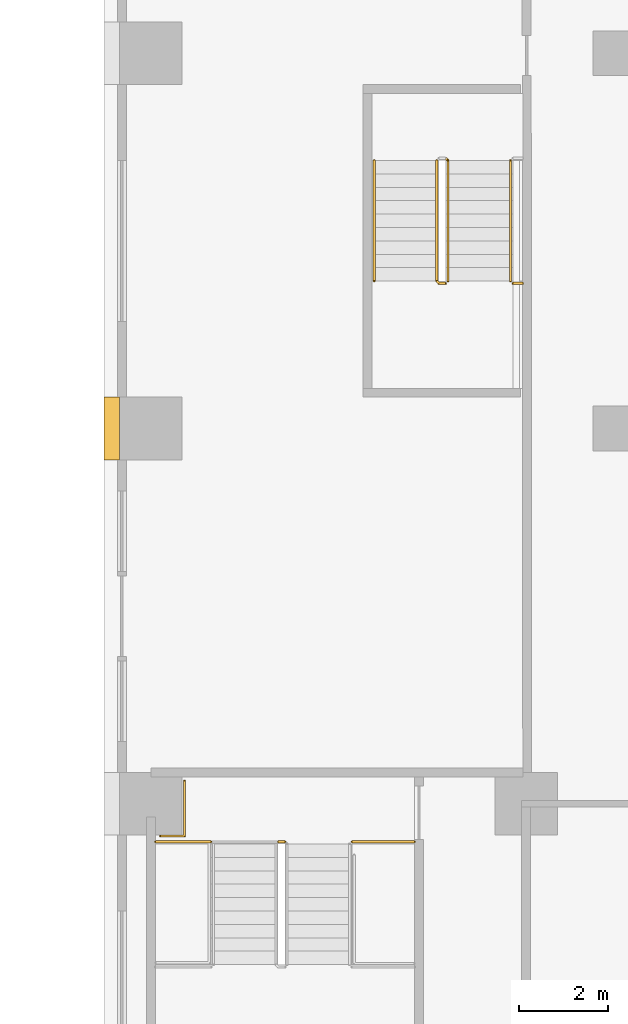
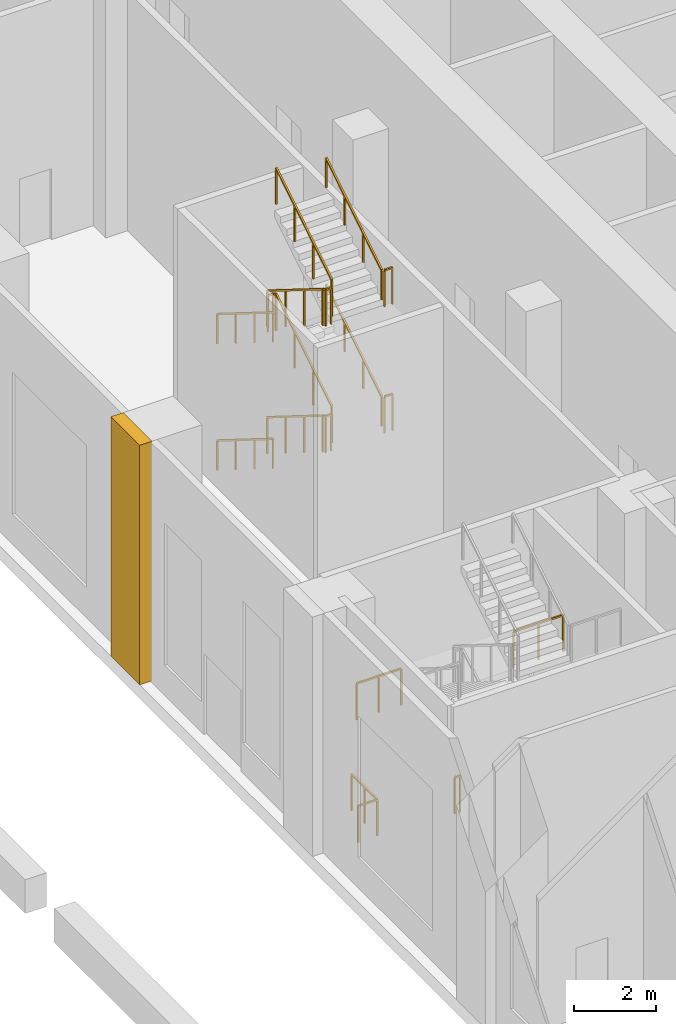
# One storey, part 19 of 29: 14 railings, 1 covering.
"""IFC4 building model written with IfcOpenShell, lengths in metres."""

from ifc_helpers import new_model, si_unit, direction, frame, origin, origin_2d, place, context, subcontext, project, spatial, polyline, rectangle, outline, extrude, material, type_object, element, save


model = new_model("IFC4")

# Units and contexts
model_context = context("Model", 3, precision=1e-05, world=origin(), true_north=direction((0.0, 1.0)))
body_context = subcontext(model_context, "Body", "Model", "MODEL_VIEW")
ifc_project = project(units=[si_unit("LENGTHUNIT", "METRE"), si_unit("AREAUNIT", "SQUARE_METRE"), si_unit("VOLUMEUNIT", "CUBIC_METRE"), si_unit("PLANEANGLEUNIT", "RADIAN"), si_unit("MASSUNIT", "GRAM", prefix="KILO")], contexts=[model_context])

# Site, building, storey
site_placement = place(None, origin())
site = spatial("IfcSite", under=ifc_project, at=site_placement, CompositionType="ELEMENT")
building_placement = place(site_placement, origin())
building = spatial("IfcBuilding", under=site, at=building_placement, Name="Vermilion Ogive Tower", CompositionType="ELEMENT")
storey_placement = place(building_placement, frame((0.0, 0.0, 12.5)))
storey = spatial("IfcBuildingStorey", under=building, at=storey_placement, Name="L02", CompositionType="ELEMENT", Elevation=12.5)

# Railings
ifc_material_1 = material(Name="Steel S355 painted", Category="steel")
railing_type_1 = type_object("IfcRailingType", Name="Stair guard 1100", PredefinedType="GUARDRAIL", material=ifc_material_1)
railing_1_placement = place(storey_placement, frame((-18.800048828125, 1.800048828125, 0.1875)))
element("IfcRailing", 1, at=railing_1_placement, inside=storey, type_object=railing_type_1, Name="L02 ST9 stair guard 1", PredefinedType="GUARDRAIL", context=body_context, shape_type="SweptSolid", body=[
    extrude(rectangle(XDim=0.048095703125, YDim=0.048095703125, at=origin_2d()), frame((0.0, 0.0, 1.076171875), z_axis=(0.0, -0.847993996163, 0.530005832488), x_axis=(1.0, 0.0, 0.0)), (0.0, 0.0, 1.0), 3.183837890625),
    extrude(rectangle(XDim=0.048095703125, YDim=0.048095703125, at=origin_2d()), frame((0.0, -2.699951171875, 2.763671875), z_axis=(0.707106781187, -0.707106781187, 0.0), x_axis=(0.707106781187, 0.707106781187, 0.0)), (0.0, 0.0, 1.0), 0.07080078125),
    extrude(rectangle(XDim=0.048095703125, YDim=0.048095703125, at=origin_2d()), frame((0.050048828125, -2.75, 2.763671875), z_axis=(1.0, 0.0, 0.0), x_axis=(0.0, 1.0, 0.0)), (0.0, 0.0, 1.0), 0.14990234375),
    extrude(rectangle(XDim=0.0419921875, YDim=0.0419921875, at=origin_2d()), origin(), (0.0, 0.0, 1.0), 1.052001953125),
    extrude(rectangle(XDim=0.0419921875, YDim=0.0419921875, at=origin_2d()), frame((0.0, -0.89990234375, 0.5625)), (0.0, 0.0, 1.0), 1.052001953125),
    extrude(rectangle(XDim=0.0419921875, YDim=0.0419921875, at=origin_2d()), frame((0.0, -1.800048828125, 1.125)), (0.0, 0.0, 1.0), 1.052001953125),
    extrude(rectangle(XDim=0.0419921875, YDim=0.0419921875, at=origin_2d()), frame((0.0, -2.699951171875, 1.6875)), (0.0, 0.0, 1.0), 1.052001953125),
    extrude(rectangle(XDim=0.0419921875, YDim=0.0419921875, at=origin_2d()), frame((0.050048828125, -2.75, 1.6875)), (0.0, 0.0, 1.0), 1.052001953125),
    extrude(rectangle(XDim=0.0419921875, YDim=0.0419921875, at=origin_2d()), frame((0.199951171875, -2.75, 1.6875)), (0.0, 0.0, 1.0), 1.052001953125),
])
railing_2_placement = place(storey_placement, frame((-18.550048828125, -0.89990234375, 2.0625)))
element("IfcRailing", 2, at=railing_2_placement, inside=storey, type_object=railing_type_1, Name="L02 ST9 stair guard 3", PredefinedType="GUARDRAIL", context=body_context, shape_type="SweptSolid", body=[
    extrude(rectangle(XDim=0.048095703125, YDim=0.048095703125, at=origin_2d()), frame((0.0, 0.0, 1.076171875), z_axis=(0.0, 0.847993996163, 0.530005832488), x_axis=(-1.0, 0.0, 0.0)), (0.0, 0.0, 1.0), 3.183837890625),
    extrude(rectangle(XDim=0.048095703125, YDim=0.048095703125, at=origin_2d()), frame((0.0, 2.699951171875, 2.763671875), z_axis=(-0.707106781187, 0.707106781187, 0.0), x_axis=(-0.707106781187, -0.707106781187, 0.0)), (0.0, 0.0, 1.0), 0.07080078125),
    extrude(rectangle(XDim=0.048095703125, YDim=0.048095703125, at=origin_2d()), frame((-0.050048828125, 2.75, 2.763671875), z_axis=(-1.0, 0.0, 0.0), x_axis=(0.0, -1.0, 0.0)), (0.0, 0.0, 1.0), 0.14990234375),
    extrude(rectangle(XDim=0.0419921875, YDim=0.0419921875, at=origin_2d()), origin(), (0.0, 0.0, 1.0), 1.052001953125),
    extrude(rectangle(XDim=0.0419921875, YDim=0.0419921875, at=origin_2d()), frame((0.0, 0.89990234375, 0.5625)), (0.0, 0.0, 1.0), 1.052001953125),
    extrude(rectangle(XDim=0.0419921875, YDim=0.0419921875, at=origin_2d()), frame((0.0, 1.800048828125, 1.125)), (0.0, 0.0, 1.0), 1.052001953125),
    extrude(rectangle(XDim=0.0419921875, YDim=0.0419921875, at=origin_2d()), frame((0.0, 2.699951171875, 1.6875)), (0.0, 0.0, 1.0), 1.052001953125),
    extrude(rectangle(XDim=0.0419921875, YDim=0.0419921875, at=origin_2d()), frame((-0.050048828125, 2.75, 1.6875)), (0.0, 0.0, 1.0), 1.052001953125),
    extrude(rectangle(XDim=0.0419921875, YDim=0.0419921875, at=origin_2d()), frame((-0.199951171875, 2.75, 1.6875)), (0.0, 0.0, 1.0), 1.052001953125),
])
railing_3_placement = place(storey_placement, frame((-18.800048828125, 1.800048828125, 3.9375)))
element("IfcRailing", 3, at=railing_3_placement, inside=storey, type_object=railing_type_1, Name="L02 ST9 stair guard 5", PredefinedType="GUARDRAIL", context=body_context, shape_type="SweptSolid", body=[
    extrude(rectangle(XDim=0.048095703125, YDim=0.048095703125, at=origin_2d()), frame((0.0, 0.0, 1.076171875), z_axis=(0.0, -0.847993996163, 0.530005832488), x_axis=(1.0, 0.0, 0.0)), (0.0, 0.0, 1.0), 3.183837890625),
    extrude(rectangle(XDim=0.048095703125, YDim=0.048095703125, at=origin_2d()), frame((0.0, -2.699951171875, 2.763671875), z_axis=(0.707106781187, -0.707106781187, 0.0), x_axis=(0.707106781187, 0.707106781187, 0.0)), (0.0, 0.0, 1.0), 0.07080078125),
    extrude(rectangle(XDim=0.048095703125, YDim=0.048095703125, at=origin_2d()), frame((0.050048828125, -2.75, 2.763671875), z_axis=(1.0, 0.0, 0.0), x_axis=(0.0, 1.0, 0.0)), (0.0, 0.0, 1.0), 0.14990234375),
    extrude(rectangle(XDim=0.0419921875, YDim=0.0419921875, at=origin_2d()), origin(), (0.0, 0.0, 1.0), 1.052001953125),
    extrude(rectangle(XDim=0.0419921875, YDim=0.0419921875, at=origin_2d()), frame((0.0, -0.89990234375, 0.5625)), (0.0, 0.0, 1.0), 1.052001953125),
    extrude(rectangle(XDim=0.0419921875, YDim=0.0419921875, at=origin_2d()), frame((0.0, -1.800048828125, 1.125)), (0.0, 0.0, 1.0), 1.052001953125),
    extrude(rectangle(XDim=0.0419921875, YDim=0.0419921875, at=origin_2d()), frame((0.0, -2.699951171875, 1.6875)), (0.0, 0.0, 1.0), 1.052001953125),
    extrude(rectangle(XDim=0.0419921875, YDim=0.0419921875, at=origin_2d()), frame((0.050048828125, -2.75, 1.6875)), (0.0, 0.0, 1.0), 1.052001953125),
    extrude(rectangle(XDim=0.0419921875, YDim=0.0419921875, at=origin_2d()), frame((0.199951171875, -2.75, 1.6875)), (0.0, 0.0, 1.0), 1.052001953125),
])
railing_4_placement = place(storey_placement, frame((-18.550048828125, -0.89990234375, 5.8125)))
element("IfcRailing", 4, at=railing_4_placement, inside=storey, type_object=railing_type_1, Name="L02 ST9 stair guard 7", PredefinedType="GUARDRAIL", context=body_context, shape_type="SweptSolid", body=[
    extrude(rectangle(XDim=0.048095703125, YDim=0.048095703125, at=origin_2d()), frame((0.0, 0.0, 1.076171875), z_axis=(0.0, 0.847993996163, 0.530005832488), x_axis=(-1.0, 0.0, 0.0)), (0.0, 0.0, 1.0), 3.183837890625),
    extrude(rectangle(XDim=0.0419921875, YDim=0.0419921875, at=origin_2d()), origin(), (0.0, 0.0, 1.0), 1.052001953125),
    extrude(rectangle(XDim=0.0419921875, YDim=0.0419921875, at=origin_2d()), frame((0.0, 0.89990234375, 0.5625)), (0.0, 0.0, 1.0), 1.052001953125),
    extrude(rectangle(XDim=0.0419921875, YDim=0.0419921875, at=origin_2d()), frame((0.0, 1.800048828125, 1.125)), (0.0, 0.0, 1.0), 1.052001953125),
    extrude(rectangle(XDim=0.0419921875, YDim=0.0419921875, at=origin_2d()), frame((0.0, 2.699951171875, 1.6875)), (0.0, 0.0, 1.0), 1.052001953125),
])
railing_5_placement = place(storey_placement, frame((-22.35009765625, -13.449951171875, 0.0)))
element("IfcRailing", 5, at=railing_5_placement, inside=storey, type_object=railing_type_1, Name="L02 PS4 stair guard 8", PredefinedType="GUARDRAIL", context=body_context, shape_type="SweptSolid", body=[
    extrude(rectangle(XDim=0.048095703125, YDim=0.048095703125, at=origin_2d()), frame((0.0, 0.0, 1.076171875), z_axis=(1.0, 0.0, 0.0), x_axis=(0.0, 1.0, 0.0)), (0.0, 0.0, 1.0), 0.150146484375),
    extrude(rectangle(XDim=0.0419921875, YDim=0.0419921875, at=origin_2d()), origin(), (0.0, 0.0, 1.0), 1.052001953125),
    extrude(rectangle(XDim=0.0419921875, YDim=0.0419921875, at=origin_2d()), frame((0.150146484375, 0.0, 0.0)), (0.0, 0.0, 1.0), 1.052001953125),
])
for number, where, name in (
    (6, (-17.10009765625, -0.949951171875, 1.875), "L02 landing guard"),
    (7, (-17.10009765625, -0.949951171875, 5.625), "L02 landing guard"),
):
    element("IfcRailing", number, at=place(storey_placement, frame(where)), inside=storey, type_object=railing_type_1, Name=name, PredefinedType="GUARDRAIL", context=body_context, shape_type="SweptSolid", body=[
        extrude(rectangle(XDim=0.048095703125, YDim=0.048095703125, at=origin_2d()), frame((0.0, 0.0, 1.076171875), z_axis=(1.0, 0.0, 0.0), x_axis=(0.0, 1.0, 0.0)), (0.0, 0.0, 1.0), 0.22509765625),
        extrude(rectangle(XDim=0.0419921875, YDim=0.0419921875, at=origin_2d()), origin(), (0.0, 0.0, 1.0), 1.052001953125),
        extrude(rectangle(XDim=0.0419921875, YDim=0.0419921875, at=origin_2d()), frame((0.22509765625, 0.0, 0.0)), (0.0, 0.0, 1.0), 1.052001953125),
    ])
railing_6_placement = place(storey_placement, frame((-25.10009765625, -13.449951171875, 3.75)))
element("IfcRailing", 8, at=railing_6_placement, inside=storey, type_object=railing_type_1, Name="L02 landing guard", PredefinedType="GUARDRAIL", context=body_context, shape_type="SweptSolid", body=[
    extrude(rectangle(XDim=0.048095703125, YDim=0.048095703125, at=origin_2d()), frame((0.0, 0.0, 1.076171875), z_axis=(1.0, 0.0, 0.0), x_axis=(0.0, 1.0, 0.0)), (0.0, 0.0, 1.0), 1.25),
    extrude(rectangle(XDim=0.0419921875, YDim=0.0419921875, at=origin_2d()), origin(), (0.0, 0.0, 1.0), 1.052001953125),
    extrude(rectangle(XDim=0.0419921875, YDim=0.0419921875, at=origin_2d()), frame((0.625, 0.0, 0.0)), (0.0, 0.0, 1.0), 1.052001953125),
    extrude(rectangle(XDim=0.0419921875, YDim=0.0419921875, at=origin_2d()), frame((1.25, 0.0, 0.0)), (0.0, 0.0, 1.0), 1.052001953125),
])
railing_7_placement = place(storey_placement, frame((-20.699951171875, -13.449951171875, 3.75)))
element("IfcRailing", 9, at=railing_7_placement, inside=storey, type_object=railing_type_1, Name="L02 landing guard", PredefinedType="GUARDRAIL", context=body_context, shape_type="SweptSolid", body=[
    extrude(rectangle(XDim=0.048095703125, YDim=0.048095703125, at=origin_2d()), frame((0.0, 0.0, 1.076171875), z_axis=(1.0, 0.0, 0.0), x_axis=(0.0, 1.0, 0.0)), (0.0, 0.0, 1.0), 1.39990234375),
    extrude(rectangle(XDim=0.0419921875, YDim=0.0419921875, at=origin_2d()), origin(), (0.0, 0.0, 1.0), 1.052001953125),
    extrude(rectangle(XDim=0.0419921875, YDim=0.0419921875, at=origin_2d()), frame((0.699951171875, 0.0, 0.0)), (0.0, 0.0, 1.0), 1.052001953125),
    extrude(rectangle(XDim=0.0419921875, YDim=0.0419921875, at=origin_2d()), frame((1.39990234375, 0.0, 0.0)), (0.0, 0.0, 1.0), 1.052001953125),
])
railing_8_placement = place(storey_placement, frame((-24.985107421875, -13.323974609375, 0.0)))
element("IfcRailing", 10, at=railing_8_placement, inside=storey, type_object=railing_type_1, Name="L02 stair opening guard", PredefinedType="GUARDRAIL", context=body_context, shape_type="SweptSolid", body=[
    extrude(rectangle(XDim=0.048095703125, YDim=0.048095703125, at=origin_2d()), frame((0.0, 0.0, 1.076171875), z_axis=(1.0, 0.0, 0.0), x_axis=(0.0, 1.0, 0.0)), (0.0, 0.0, 1.0), 0.5400390625),
    extrude(rectangle(XDim=0.048095703125, YDim=0.048095703125, at=origin_2d()), frame((0.5400390625, 0.0, 1.076171875), z_axis=(0.0, 1.0, 0.0), x_axis=(-1.0, 0.0, 0.0)), (0.0, 0.0, 1.0), 1.239990234375),
    extrude(rectangle(XDim=0.0419921875, YDim=0.0419921875, at=origin_2d()), origin(), (0.0, 0.0, 1.0), 1.052001953125),
    extrude(rectangle(XDim=0.0419921875, YDim=0.0419921875, at=origin_2d()), frame((0.5400390625, 0.0, 0.0)), (0.0, 0.0, 1.0), 1.052001953125),
    extrude(rectangle(XDim=0.0419921875, YDim=0.0419921875, at=origin_2d()), frame((0.5400390625, 0.6201171875, 0.0)), (0.0, 0.0, 1.0), 1.052001953125),
    extrude(rectangle(XDim=0.0419921875, YDim=0.0419921875, at=origin_2d()), frame((0.5400390625, 1.239990234375, 0.0)), (0.0, 0.0, 1.0), 1.052001953125),
])
ifc_material_2 = material(Name="Stainless steel", Category="steel")
railing_type_2 = type_object("IfcRailingType", Name="Stair handrail 900", PredefinedType="HANDRAIL", material=ifc_material_2)
railing_9_placement = place(storey_placement, frame((-20.199951171875, 1.800048828125, 0.1875)))
element("IfcRailing", 11, at=railing_9_placement, inside=storey, type_object=railing_type_2, Name="L02 ST9 stair handrail 1", PredefinedType="HANDRAIL", context=body_context, shape_type="SweptSolid", body=[
    extrude(rectangle(XDim=0.048095703125, YDim=0.048095703125, at=origin_2d()), frame((0.0, 0.0, 0.8759765625), z_axis=(0.0, -0.847993996163, 0.530005832488), x_axis=(1.0, 0.0, 0.0)), (0.0, 0.0, 1.0), 3.183837890625),
    extrude(rectangle(XDim=0.0419921875, YDim=0.0419921875, at=origin_2d()), origin(), (0.0, 0.0, 1.0), 0.851806640625),
    extrude(rectangle(XDim=0.0419921875, YDim=0.0419921875, at=origin_2d()), frame((0.0, -0.89990234375, 0.5625)), (0.0, 0.0, 1.0), 0.851806640625),
    extrude(rectangle(XDim=0.0419921875, YDim=0.0419921875, at=origin_2d()), frame((0.0, -1.800048828125, 1.125)), (0.0, 0.0, 1.0), 0.851806640625),
    extrude(rectangle(XDim=0.0419921875, YDim=0.0419921875, at=origin_2d()), frame((0.0, -2.699951171875, 1.6875)), (0.0, 0.0, 1.0), 0.851806640625),
])
railing_10_placement = place(storey_placement, frame((-17.14990234375, -0.89990234375, 2.0625)))
element("IfcRailing", 12, at=railing_10_placement, inside=storey, type_object=railing_type_2, Name="L02 ST9 stair handrail 2", PredefinedType="HANDRAIL", context=body_context, shape_type="SweptSolid", body=[
    extrude(rectangle(XDim=0.048095703125, YDim=0.048095703125, at=origin_2d()), frame((0.0, 0.0, 0.8759765625), z_axis=(0.0, 0.847993996163, 0.530005832488), x_axis=(-1.0, 0.0, 0.0)), (0.0, 0.0, 1.0), 3.183837890625),
    extrude(rectangle(XDim=0.0419921875, YDim=0.0419921875, at=origin_2d()), origin(), (0.0, 0.0, 1.0), 0.851806640625),
    extrude(rectangle(XDim=0.0419921875, YDim=0.0419921875, at=origin_2d()), frame((0.0, 0.89990234375, 0.5625)), (0.0, 0.0, 1.0), 0.851806640625),
    extrude(rectangle(XDim=0.0419921875, YDim=0.0419921875, at=origin_2d()), frame((0.0, 1.800048828125, 1.125)), (0.0, 0.0, 1.0), 0.851806640625),
    extrude(rectangle(XDim=0.0419921875, YDim=0.0419921875, at=origin_2d()), frame((0.0, 2.699951171875, 1.6875)), (0.0, 0.0, 1.0), 0.851806640625),
])
railing_11_placement = place(storey_placement, frame((-20.199951171875, 1.800048828125, 3.9375)))
element("IfcRailing", 13, at=railing_11_placement, inside=storey, type_object=railing_type_2, Name="L02 ST9 stair handrail 3", PredefinedType="HANDRAIL", context=body_context, shape_type="SweptSolid", body=[
    extrude(rectangle(XDim=0.048095703125, YDim=0.048095703125, at=origin_2d()), frame((0.0, 0.0, 0.8759765625), z_axis=(0.0, -0.847993996163, 0.530005832488), x_axis=(1.0, 0.0, 0.0)), (0.0, 0.0, 1.0), 3.183837890625),
    extrude(rectangle(XDim=0.0419921875, YDim=0.0419921875, at=origin_2d()), origin(), (0.0, 0.0, 1.0), 0.851806640625),
    extrude(rectangle(XDim=0.0419921875, YDim=0.0419921875, at=origin_2d()), frame((0.0, -0.89990234375, 0.5625)), (0.0, 0.0, 1.0), 0.851806640625),
    extrude(rectangle(XDim=0.0419921875, YDim=0.0419921875, at=origin_2d()), frame((0.0, -1.800048828125, 1.125)), (0.0, 0.0, 1.0), 0.851806640625),
    extrude(rectangle(XDim=0.0419921875, YDim=0.0419921875, at=origin_2d()), frame((0.0, -2.699951171875, 1.6875)), (0.0, 0.0, 1.0), 0.851806640625),
])
railing_12_placement = place(storey_placement, frame((-17.14990234375, -0.89990234375, 5.8125)))
element("IfcRailing", 14, at=railing_12_placement, inside=storey, type_object=railing_type_2, Name="L02 ST9 stair handrail 4", PredefinedType="HANDRAIL", context=body_context, shape_type="SweptSolid", body=[
    extrude(rectangle(XDim=0.048095703125, YDim=0.048095703125, at=origin_2d()), frame((0.0, 0.0, 0.8759765625), z_axis=(0.0, 0.847993996163, 0.530005832488), x_axis=(-1.0, 0.0, 0.0)), (0.0, 0.0, 1.0), 3.183837890625),
    extrude(rectangle(XDim=0.0419921875, YDim=0.0419921875, at=origin_2d()), origin(), (0.0, 0.0, 1.0), 0.851806640625),
    extrude(rectangle(XDim=0.0419921875, YDim=0.0419921875, at=origin_2d()), frame((0.0, 0.89990234375, 0.5625)), (0.0, 0.0, 1.0), 0.851806640625),
    extrude(rectangle(XDim=0.0419921875, YDim=0.0419921875, at=origin_2d()), frame((0.0, 1.800048828125, 1.125)), (0.0, 0.0, 1.0), 0.851806640625),
    extrude(rectangle(XDim=0.0419921875, YDim=0.0419921875, at=origin_2d()), frame((0.0, 2.699951171875, 1.6875)), (0.0, 0.0, 1.0), 0.851806640625),
])

# Covering
ifc_material_3 = material(Name="Stone cladding", Category="masonry")
covering_type = type_object("IfcCoveringType", Name="Stone pier", PredefinedType="CLADDING", material=ifc_material_3)
covering_placement = place(storey_placement, origin())
element("IfcCovering", 15, at=covering_placement, inside=storey, type_object=covering_type, Name="Stone pier P-252-042", PredefinedType="CLADDING", context=body_context, shape_type="SweptSolid", body=[
    extrude(outline(polyline([(-25.89990234375, -4.89990234375), (-26.25, -4.89990234375), (-26.25, -3.5), (-25.89990234375, -3.5), (-25.89990234375, -4.89990234375), (-25.89990234375, -4.89990234375)])), origin(), (0.0, 0.0, 1.0), 7.10009765625),
])

save(model, "model.ifc")
